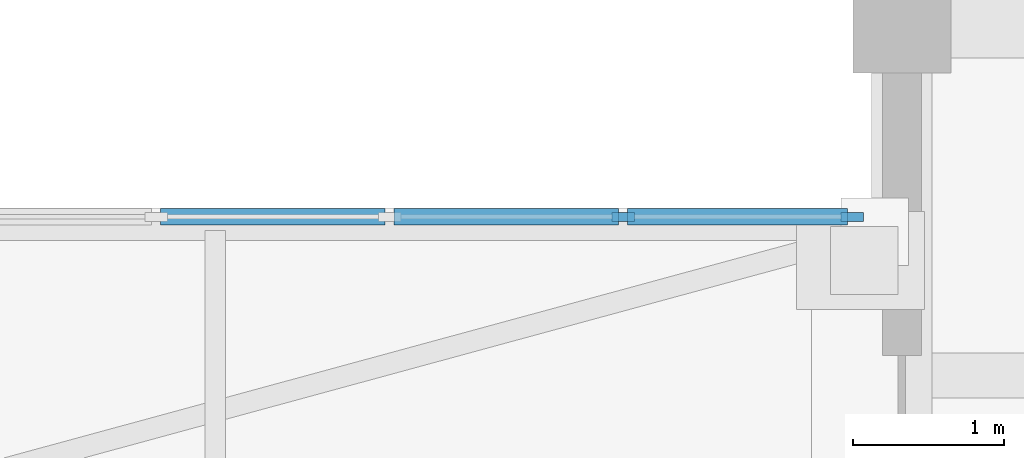
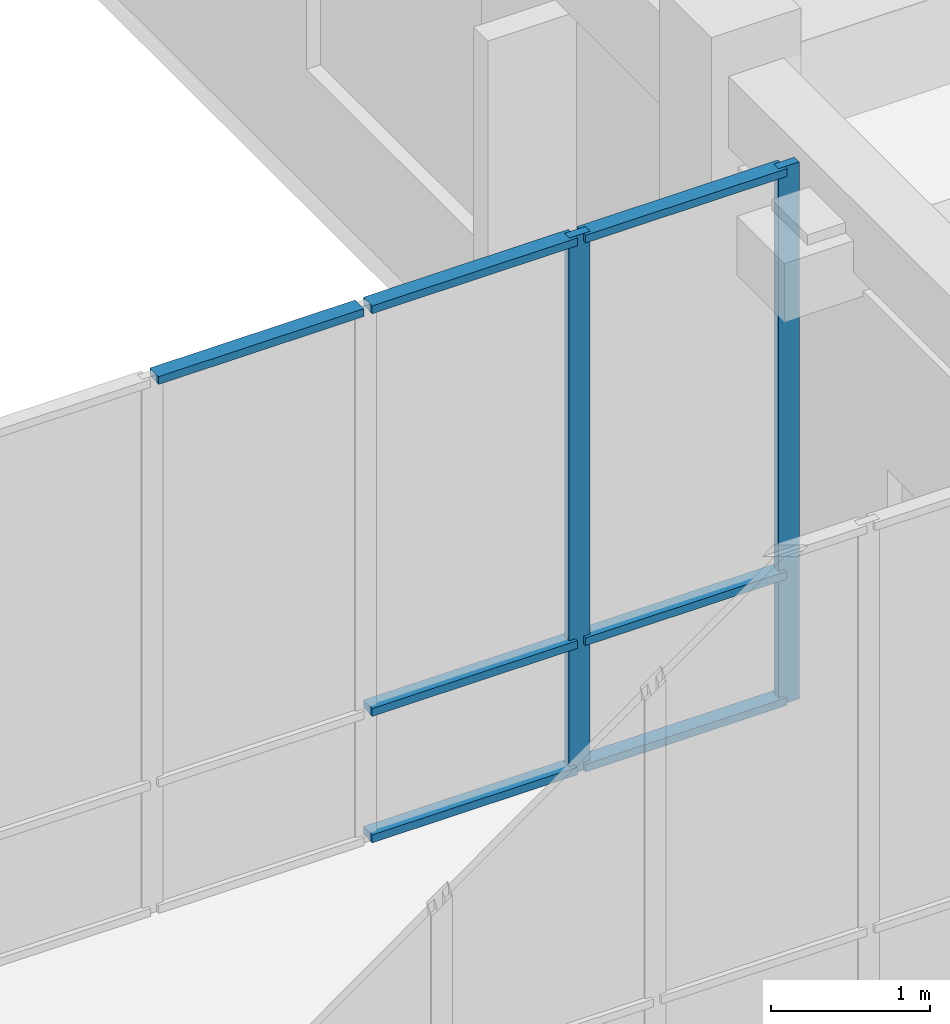
# One storey, part 7 of 70: 9 members, 1 element without a shape of its own.
"""IFC4 building model written with IfcOpenShell, lengths in metres."""

from ifc_helpers import new_model, si_unit, direction, frame, origin, origin_2d, place, context, subcontext, project, spatial, rectangle, extrude, material, layer, layer_set, material_profile, profile_set, type_object, element, aggregate, save


model = new_model("IFC4")

# Units and contexts
model_context = context("Model", 3, precision=1e-05, world=origin(), true_north=direction((0.0, 1.0)))
body_context = subcontext(model_context, "Body", "Model", "MODEL_VIEW")
ifc_project = project(units=[si_unit("LENGTHUNIT", "METRE"), si_unit("AREAUNIT", "SQUARE_METRE"), si_unit("VOLUMEUNIT", "CUBIC_METRE"), si_unit("PLANEANGLEUNIT", "RADIAN"), si_unit("MASSUNIT", "GRAM", prefix="KILO")], contexts=[model_context])

# Site, building, storey
site_placement = place(None, origin())
site = spatial("IfcSite", under=ifc_project, at=site_placement, CompositionType="ELEMENT")
building_placement = place(site_placement, origin())
building = spatial("IfcBuilding", under=site, at=building_placement, Name="Naurynzar Civic Courthouse", CompositionType="ELEMENT")
storey_placement = place(building_placement, frame((0.0, 0.0, 5.39990234375)))
storey = spatial("IfcBuildingStorey", under=building, at=storey_placement, Name="L02", CompositionType="ELEMENT", Elevation=5.39990234375)

# Curtain wall, members
ifc_material_1 = material(Name="Aluminium 6063-T6", Category="aluminium")
ifc_layer = layer(ifc_material_1, 0.14990234375)
ifc_layer_set = layer_set([ifc_layer], Name="CW-BRIDGE-1500")
curtain_wall_type = type_object("IfcCurtainWallType", Name="CW-BRIDGE-1500", PredefinedType="USERDEFINED", material=ifc_layer_set)
curtain_wall_placement = place(storey_placement, origin())
curtain_wall = element("IfcCurtainWall", 1, at=curtain_wall_placement, inside=storey, type_object=curtain_wall_type, Name="BR-S1 glazed bridge screen L02.2", ObjectType="GLAZED BRIDGE SCREEN", PredefinedType="USERDEFINED")
ifc_material_2 = material(Name="Aluminium 6063-T6", Category="aluminium")
ifc_material_profile_1 = material_profile(ifc_material_2, rectangle(XDim=0.06005859375, YDim=0.14990234375, at=origin_2d()), Name="ALU MULLION 60x150")
ifc_profile_set_1 = profile_set([ifc_material_profile_1], Name="Aluminium 6063-T6")
member_type_1 = type_object("IfcMemberType", Name="CWM-60x150", PredefinedType="MULLION", material=ifc_profile_set_1)
member_1_placement = place(storey_placement, frame((68.669921875, 15.719970703125, 0.0), z_axis=(0.0, 0.0, 1.0), x_axis=(0.0, -1.0, 0.0)))
member_1 = element("IfcMember", 2, at=member_1_placement, type_object=member_type_1, Name="CW-03 mullion 1", PredefinedType="MULLION", context=body_context, shape_type="SweptSolid", body=[
    extrude(rectangle(XDim=0.06005859375, YDim=0.14990234375, at=origin_2d()), origin(), (0.0, 0.0, 1.0), 4.1201171875),
])
member_2_placement = place(storey_placement, frame((67.14990234375, 15.719970703125, 0.0), z_axis=(0.0, 0.0, 1.0), x_axis=(0.0, -1.0, 0.0)))
member_2 = element("IfcMember", 3, at=member_2_placement, type_object=member_type_1, Name="CW-03 mullion 2", PredefinedType="MULLION", context=body_context, shape_type="SweptSolid", body=[
    extrude(rectangle(XDim=0.06005859375, YDim=0.14990234375, at=origin_2d()), origin(), (0.0, 0.0, 1.0), 4.1201171875),
])
ifc_material_3 = material(Name="Aluminium 6063-T6", Category="aluminium")
ifc_material_profile_2 = material_profile(ifc_material_3, rectangle(XDim=0.110107421875, YDim=0.06005859375, at=origin_2d()), Name="ALU TRANSOM 60x110")
ifc_profile_set_2 = profile_set([ifc_material_profile_2], Name="Aluminium 6063-T6")
member_type_2 = type_object("IfcMemberType", Name="CWT-60x110", PredefinedType="USERDEFINED", material=ifc_profile_set_2)
member_3_placement = place(storey_placement, frame((68.639892578125, 15.719970703125, 0.030029296875), z_axis=(-1.0, 0.0, 0.0), x_axis=(0.0, -1.0, 0.0)))
member_3 = element("IfcMember", 4, at=member_3_placement, type_object=member_type_2, Name="CW-03 transom 1.1", ObjectType="TRANSOM", PredefinedType="USERDEFINED", context=body_context, shape_type="SweptSolid", body=[
    extrude(rectangle(XDim=0.110107421875, YDim=0.06005859375, at=origin_2d()), origin(), (0.0, 0.0, 1.0), 1.4599609375),
])
member_4_placement = place(storey_placement, frame((68.639892578125, 15.719970703125, 1.0), z_axis=(-1.0, 0.0, 0.0), x_axis=(0.0, -1.0, 0.0)))
member_4 = element("IfcMember", 5, at=member_4_placement, type_object=member_type_2, Name="CW-03 transom 1.2", ObjectType="TRANSOM", PredefinedType="USERDEFINED", context=body_context, shape_type="SweptSolid", body=[
    extrude(rectangle(XDim=0.110107421875, YDim=0.06005859375, at=origin_2d()), origin(), (0.0, 0.0, 1.0), 1.4599609375),
])
member_5_placement = place(storey_placement, frame((68.639892578125, 15.719970703125, 4.090087890625), z_axis=(-1.0, 0.0, 0.0), x_axis=(0.0, -1.0, 0.0)))
member_5 = element("IfcMember", 6, at=member_5_placement, type_object=member_type_2, Name="CW-03 transom 1.3", ObjectType="TRANSOM", PredefinedType="USERDEFINED", context=body_context, shape_type="SweptSolid", body=[
    extrude(rectangle(XDim=0.110107421875, YDim=0.06005859375, at=origin_2d()), origin(), (0.0, 0.0, 1.0), 1.4599609375),
])
member_6_placement = place(storey_placement, frame((67.1201171875, 15.719970703125, 0.030029296875), z_axis=(-1.0, 0.0, 0.0), x_axis=(0.0, -1.0, 0.0)))
member_6 = element("IfcMember", 7, at=member_6_placement, type_object=member_type_2, Name="CW-03 transom 2.1", ObjectType="TRANSOM", PredefinedType="USERDEFINED", context=body_context, shape_type="SweptSolid", body=[
    extrude(rectangle(XDim=0.110107421875, YDim=0.06005859375, at=origin_2d()), origin(), (0.0, 0.0, 1.0), 1.490234375),
])
member_7_placement = place(storey_placement, frame((67.1201171875, 15.719970703125, 1.0), z_axis=(-1.0, 0.0, 0.0), x_axis=(0.0, -1.0, 0.0)))
member_7 = element("IfcMember", 8, at=member_7_placement, type_object=member_type_2, Name="CW-03 transom 2.2", ObjectType="TRANSOM", PredefinedType="USERDEFINED", context=body_context, shape_type="SweptSolid", body=[
    extrude(rectangle(XDim=0.110107421875, YDim=0.06005859375, at=origin_2d()), origin(), (0.0, 0.0, 1.0), 1.490234375),
])
member_8_placement = place(storey_placement, frame((67.1201171875, 15.719970703125, 4.090087890625), z_axis=(-1.0, 0.0, 0.0), x_axis=(0.0, -1.0, 0.0)))
member_8 = element("IfcMember", 9, at=member_8_placement, type_object=member_type_2, Name="CW-03 transom 2.3", ObjectType="TRANSOM", PredefinedType="USERDEFINED", context=body_context, shape_type="SweptSolid", body=[
    extrude(rectangle(XDim=0.110107421875, YDim=0.06005859375, at=origin_2d()), origin(), (0.0, 0.0, 1.0), 1.490234375),
])
member_9_placement = place(storey_placement, frame((65.570068359375, 15.719970703125, 4.090087890625), z_axis=(-1.0, 0.0, 0.0), x_axis=(0.0, -1.0, 0.0)))
member_9 = element("IfcMember", 10, at=member_9_placement, type_object=member_type_2, Name="CW-03 transom 3.3", ObjectType="TRANSOM", PredefinedType="USERDEFINED", context=body_context, shape_type="SweptSolid", body=[
    extrude(rectangle(XDim=0.110107421875, YDim=0.06005859375, at=origin_2d()), origin(), (0.0, 0.0, 1.0), 1.489990234375),
])
aggregate(curtain_wall, [member_1, member_2, member_3, member_4, member_5, member_6, member_7, member_8, member_9])

save(model, "model.ifc")
